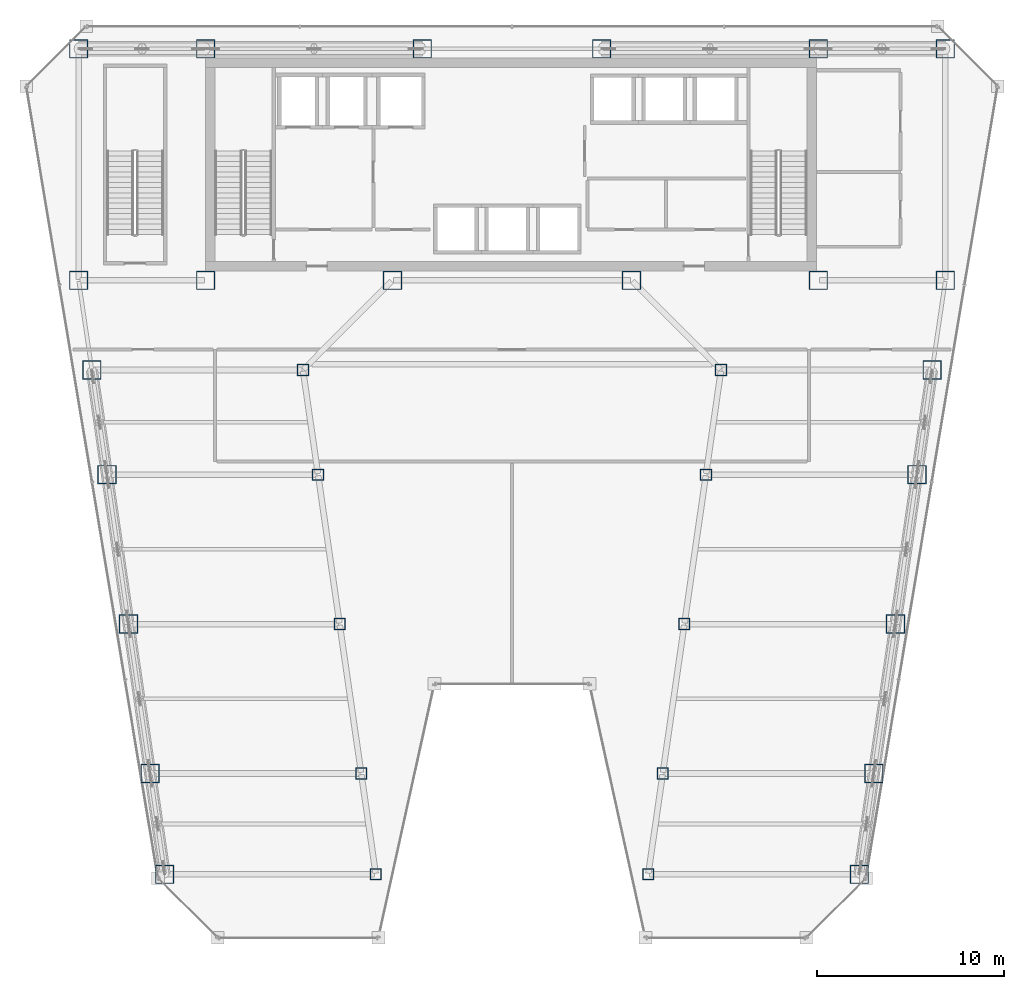
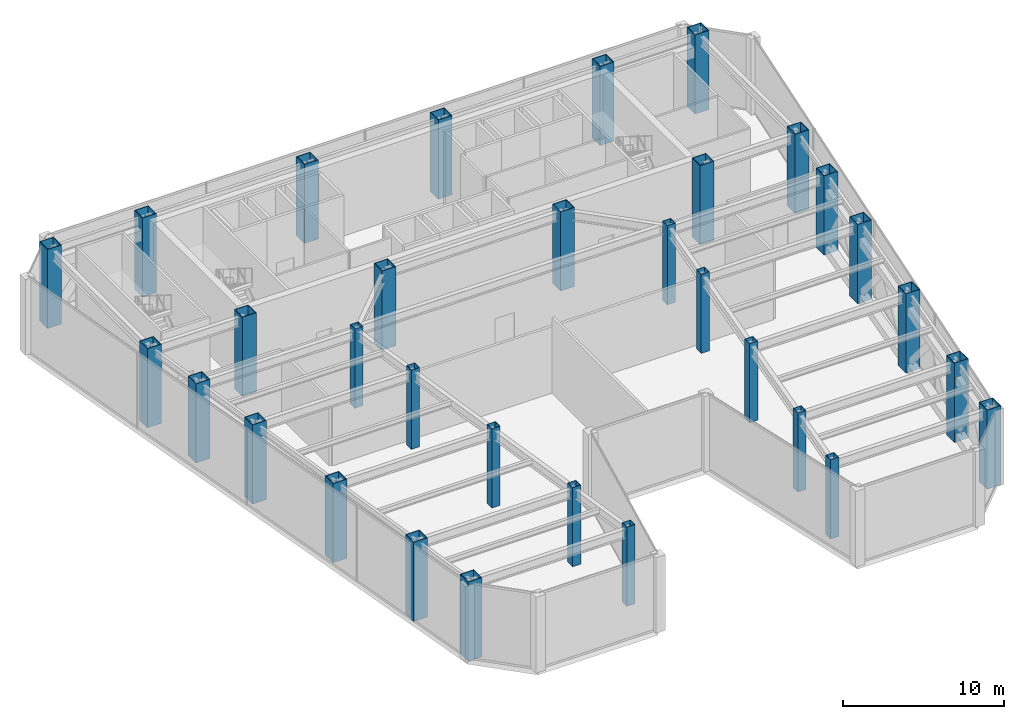
# One storey, part 1 of 30: 32 columns.
"""IFC4 building model written with IfcOpenShell, lengths in metres."""

from ifc_helpers import new_model, si_unit, direction, frame, origin, origin_2d, place, context, subcontext, project, spatial, hollow_rectangle, extrude, material, material_profile, profile_set, type_object, element, save


model = new_model("IFC4")

# Units and contexts
model_context = context("Model", 3, precision=1e-05, world=origin(), true_north=direction((0.0, 1.0)))
body_context = subcontext(model_context, "Body", "Model", "MODEL_VIEW")
ifc_project = project(units=[si_unit("LENGTHUNIT", "METRE"), si_unit("AREAUNIT", "SQUARE_METRE"), si_unit("VOLUMEUNIT", "CUBIC_METRE"), si_unit("PLANEANGLEUNIT", "RADIAN"), si_unit("MASSUNIT", "GRAM", prefix="KILO")], contexts=[model_context])

# Site, building, storey
site_placement = place(None, origin())
site = spatial("IfcSite", under=ifc_project, at=site_placement, CompositionType="ELEMENT")
building_placement = place(site_placement, origin())
building = spatial("IfcBuilding", under=site, at=building_placement, Name="Saevonmaru Cultural Tower", CompositionType="ELEMENT")
storey_placement = place(building_placement, frame((0.0, 0.0, 123.60009765625)))
storey = spatial("IfcBuildingStorey", under=building, at=storey_placement, Name="L26", CompositionType="ELEMENT", Elevation=123.60009765625)

# Columns
ifc_material_1 = material(Name="Steel SM420", Category="steel")
ifc_material_profile_1 = material_profile(ifc_material_1, hollow_rectangle(XDim=1.0, YDim=1.0, WallThickness=0.044921875, at=origin_2d()), Name="BOX-1000x1000x45")
ifc_profile_set_1 = profile_set([ifc_material_profile_1], Name="Steel SM420")
column_type_1 = type_object("IfcColumnType", Name="COL-BOX-1000", PredefinedType="COLUMN", material=ifc_profile_set_1)
for number, where, z_axis, x_axis, name in (
    (1, (6.800048828125, 54.800048828125, 0.0), (0.0, 0.0, 1.0), (1.0, 0.0, 0.0), "L26 Column TC-N1N"),
    (2, (13.60009765625, 54.800048828125, 0.0), (0.0, 0.0, 1.0), (1.0, 0.0, 0.0), "L26 Column TC-N2N"),
    (3, (25.199951171875, 54.800048828125, 0.0), (0.0, 0.0, 1.0), (1.0, 0.0, 0.0), "L26 Column TC-N3N"),
    (4, (34.800048828125, 54.800048828125, 0.0), (0.0, 0.0, 1.0), (1.0, 0.0, 0.0), "L26 Column TC-N4N"),
    (5, (46.39990234375, 54.800048828125, 0.0), (0.0, 0.0, 1.0), (1.0, 0.0, 0.0), "L26 Column TC-N5N"),
    (6, (53.199951171875, 54.800048828125, 0.0), (0.0, 0.0, 1.0), (1.0, 0.0, 0.0), "L26 Column TC-N6N"),
    (7, (6.800048828125, 42.39990234375, 0.0), (0.0, 0.0, 1.0), (1.0, 0.0, 0.0), "L26 Column TC-S1C"),
    (8, (13.60009765625, 42.39990234375, 0.0), (0.0, 0.0, 1.0), (1.0, 0.0, 0.0), "L26 Column TC-S2C"),
    (9, (23.60009765625, 42.39990234375, 0.0), (0.0, 0.0, 1.0), (1.0, 0.0, 0.0), "L26 Column TC-S3C"),
    (10, (36.39990234375, 42.39990234375, 0.0), (0.0, 0.0, 1.0), (1.0, 0.0, 0.0), "L26 Column TC-S4C"),
    (11, (46.39990234375, 42.39990234375, 0.0), (0.0, 0.0, 1.0), (1.0, 0.0, 0.0), "L26 Column TC-S5C"),
    (12, (53.199951171875, 42.39990234375, 0.0), (0.0, 0.0, 1.0), (1.0, 0.0, 0.0), "L26 Column TC-S6C"),
    (13, (11.407958984375, 10.60009765625, 0.0), (0.0, 0.0, 1.0), (1.0, 0.0, 0.0), "L26 Column TC-WO-Y106"),
    (14, (48.592041015625, 10.60009765625, 0.0), (0.0, 0.0, 1.0), (1.0, 0.0, 0.0), "L26 Column TC-EO-Y106"),
    (15, (10.6279296875, 16.0, 0.0), (0.0, 0.0, 1.0), (1.0, 0.0, 0.0), "L26 Column TC-WO-Y160"),
    (16, (49.3720703125, 16.0, 0.0), (0.0, 0.0, 1.0), (1.0, 0.0, 0.0), "L26 Column TC-EO-Y160"),
    (17, (9.471923828125, 24.0, 0.0), (0.0, 0.0, 1.0), (1.0, 0.0, 0.0), "L26 Column TC-WO-Y240"),
    (18, (50.528076171875, 24.0, 0.0), (0.0, 0.0, 1.0), (1.0, 0.0, 0.0), "L26 Column TC-EO-Y240"),
    (19, (8.31689453125, 32.0, 0.0), (0.0, 0.0, 1.0), (1.0, 0.0, 0.0), "L26 Column TC-WO-Y320"),
    (20, (51.68310546875, 32.0, 0.0), (0.0, 0.0, 1.0), (1.0, 0.0, 0.0), "L26 Column TC-EO-Y320"),
    (21, (7.508056640625, 37.60009765625, 0.0), (0.0, 0.0, 1.0), (1.0, 0.0, 0.0), "L26 Column TC-WO-Y376"),
    (22, (52.491943359375, 37.60009765625, 0.0), (0.0, 0.0, 1.0), (1.0, 0.0, 0.0), "L26 Column TC-EO-Y376"),
):
    element("IfcColumn", number, at=place(storey_placement, frame(where, z_axis=z_axis, x_axis=x_axis)), inside=storey, type_object=column_type_1, Name=name, PredefinedType="COLUMN", context=body_context, shape_type="SweptSolid", body=[
        extrude(hollow_rectangle(XDim=1.0, YDim=1.0, WallThickness=0.044921875, at=origin_2d()), origin(), (0.0, 0.0, 1.0), 6.0),
    ])
ifc_material_2 = material(Name="Steel SM355", Category="steel")
ifc_material_profile_2 = material_profile(ifc_material_2, hollow_rectangle(XDim=0.60009765625, YDim=0.60009765625, WallThickness=0.028076171875, at=origin_2d()), Name="BOX-600x600x28")
ifc_profile_set_2 = profile_set([ifc_material_profile_2], Name="Steel SM355")
column_type_2 = type_object("IfcColumnType", Name="COL-BOX-600", PredefinedType="COLUMN", material=ifc_profile_set_2)
for number, where, z_axis, x_axis, name in (
    (23, (22.7080078125, 10.60009765625, 0.0), (0.0, 0.0, 1.0), (1.0, 0.0, 0.0), "L26 Column TC-WI-Y106"),
    (24, (37.2919921875, 10.60009765625, 0.0), (0.0, 0.0, 1.0), (1.0, 0.0, 0.0), "L26 Column TC-EI-Y106"),
    (25, (21.927978515625, 16.0, 0.0), (0.0, 0.0, 1.0), (1.0, 0.0, 0.0), "L26 Column TC-WI-Y160"),
    (26, (38.072021484375, 16.0, 0.0), (0.0, 0.0, 1.0), (1.0, 0.0, 0.0), "L26 Column TC-EI-Y160"),
    (27, (20.77197265625, 24.0, 0.0), (0.0, 0.0, 1.0), (1.0, 0.0, 0.0), "L26 Column TC-WI-Y240"),
    (28, (39.22802734375, 24.0, 0.0), (0.0, 0.0, 1.0), (1.0, 0.0, 0.0), "L26 Column TC-EI-Y240"),
    (29, (19.616943359375, 32.0, 0.0), (0.0, 0.0, 1.0), (1.0, 0.0, 0.0), "L26 Column TC-WI-Y320"),
    (30, (40.383056640625, 32.0, 0.0), (0.0, 0.0, 1.0), (1.0, 0.0, 0.0), "L26 Column TC-EI-Y320"),
    (31, (18.80810546875, 37.60009765625, 0.0), (0.0, 0.0, 1.0), (1.0, 0.0, 0.0), "L26 Column TC-WI-Y376"),
    (32, (41.19189453125, 37.60009765625, 0.0), (0.0, 0.0, 1.0), (1.0, 0.0, 0.0), "L26 Column TC-EI-Y376"),
):
    element("IfcColumn", number, at=place(storey_placement, frame(where, z_axis=z_axis, x_axis=x_axis)), inside=storey, type_object=column_type_2, Name=name, PredefinedType="COLUMN", context=body_context, shape_type="SweptSolid", body=[
        extrude(hollow_rectangle(XDim=0.60009765625, YDim=0.60009765625, WallThickness=0.028076171875, at=origin_2d()), origin(), (0.0, 0.0, 1.0), 6.0),
    ])

save(model, "model.ifc")
